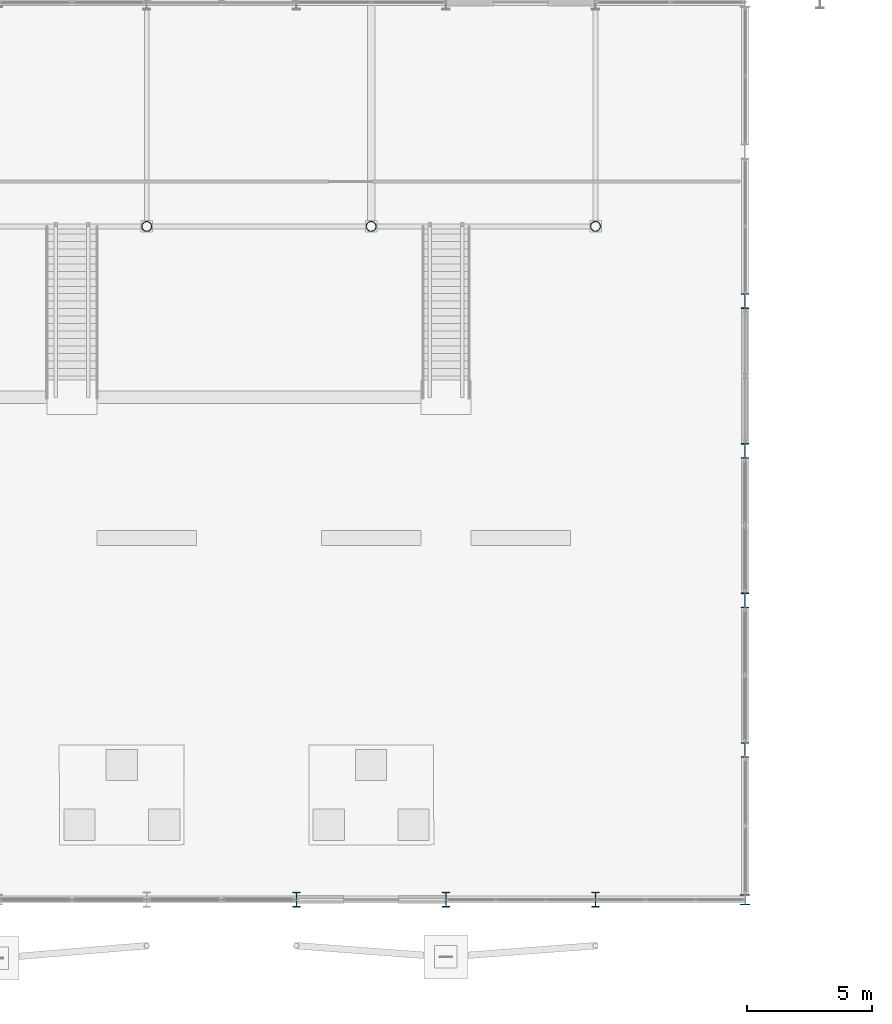
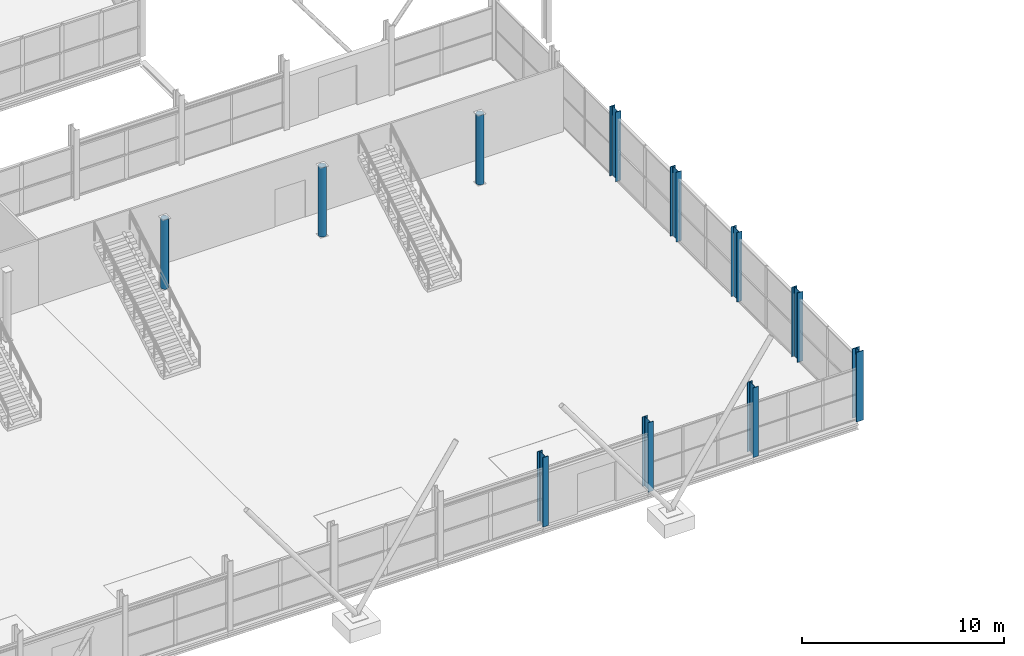
# One storey, part 3 of 140: 11 columns.
"""IFC4 building model written with IfcOpenShell, lengths in metres."""

from ifc_helpers import new_model, si_unit, direction, frame, origin, origin_2d, place, context, subcontext, project, spatial, hollow_circle, i_section, extrude, material, material_profile, profile_set, type_object, element, save


model = new_model("IFC4")

# Units and contexts
model_context = context("Model", 3, precision=1e-05, world=origin(), true_north=direction((0.0, 1.0)))
body_context = subcontext(model_context, "Body", "Model", "MODEL_VIEW")
ifc_project = project(units=[si_unit("LENGTHUNIT", "METRE"), si_unit("AREAUNIT", "SQUARE_METRE"), si_unit("VOLUMEUNIT", "CUBIC_METRE"), si_unit("PLANEANGLEUNIT", "RADIAN"), si_unit("MASSUNIT", "GRAM", prefix="KILO")], contexts=[model_context])

# Site, building, storey
site_placement = place(None, origin())
site = spatial("IfcSite", under=ifc_project, at=site_placement, CompositionType="ELEMENT")
building_placement = place(site_placement, origin())
building = spatial("IfcBuilding", under=site, at=building_placement, Name="Deido Ridge Mobility Hub", CompositionType="ELEMENT")
storey_placement = place(building_placement, origin())
storey = spatial("IfcBuildingStorey", under=building, at=storey_placement, Name="L00", CompositionType="ELEMENT", Elevation=0.0)

# Columns
ifc_material_1 = material(Name="Steel S355J2H EN 10210-1", Category="steel")
ifc_material_profile_1 = material_profile(ifc_material_1, hollow_circle(Radius=0.203125, WallThickness=0.01611328125, at=origin_2d()), Name="CHS 406.4x16")
ifc_profile_set_1 = profile_set([ifc_material_profile_1], Name="Steel S355J2H EN 10210-1")
column_type_1 = type_object("IfcColumnType", Name="COL-CHS406", PredefinedType="COLUMN", material=ifc_profile_set_1)
for number, where, z_axis, x_axis, name in (
    (1, (36.0, 27.0, 0.0), (0.0, 0.0, 1.0), (1.0, 0.0, 0.0), "Structural column C10"),
    (2, (45.0, 27.0, 0.0), (0.0, 0.0, 1.0), (1.0, 0.0, 0.0), "Structural column C10"),
    (3, (54.0, 27.0, 0.0), (0.0, 0.0, 1.0), (1.0, 0.0, 0.0), "Structural column C10"),
):
    element("IfcColumn", number, at=place(storey_placement, frame(where, z_axis=z_axis, x_axis=x_axis)), inside=storey, type_object=column_type_1, Name=name, PredefinedType="COLUMN", context=body_context, shape_type="SweptSolid", body=[
        extrude(hollow_circle(Radius=0.203125, WallThickness=0.01611328125, at=origin_2d()), origin(), (0.0, 0.0, 1.0), 4.199951171875),
    ])
ifc_material_2 = material(Name="Steel S355J2 EN 10025-2", Category="steel")
ifc_material_profile_2 = material_profile(ifc_material_2, i_section(OverallWidth=0.406005859375, OverallDepth=0.416015625, WebThickness=0.02392578125, FlangeThickness=0.0390625, FilletRadius=0.014892578125, at=origin_2d()), Name="HD 400x382")
ifc_profile_set_2 = profile_set([ifc_material_profile_2], Name="Steel S355J2 EN 10025-2")
column_type_2 = type_object("IfcColumnType", Name="COL-HD400-382", PredefinedType="COLUMN", material=ifc_profile_set_2)
column_placement = place(storey_placement, frame((60.0, 0.0, 0.0), z_axis=(0.0, 0.0, 1.0), x_axis=(1.0, 0.0, 0.0)))
element("IfcColumn", 4, at=column_placement, inside=storey, type_object=column_type_2, Name="Structural column MC2", PredefinedType="COLUMN", context=body_context, shape_type="SweptSolid", body=[
    extrude(i_section(OverallWidth=0.406005859375, OverallDepth=0.416015625, WebThickness=0.02392578125, FlangeThickness=0.0390625, FilletRadius=0.014892578125, at=origin_2d()), origin(), (0.0, 0.0, 1.0), 4.199951171875),
])
ifc_material_profile_3 = material_profile(ifc_material_2, i_section(OverallWidth=0.300048828125, OverallDepth=0.60009765625, WebThickness=0.015380859375, FlangeThickness=0.030029296875, FilletRadius=0.027099609375, at=origin_2d()), Name="HEB 600")
ifc_profile_set_3 = profile_set([ifc_material_profile_3], Name="Steel S355J2 EN 10025-2")
column_type_3 = type_object("IfcColumnType", Name="COL-HEB600", PredefinedType="COLUMN", material=ifc_profile_set_3)
for number, where, z_axis, x_axis, name in (
    (5, (42.0, 0.0, 0.0), (0.0, 0.0, 1.0), (1.0, 0.0, 0.0), "Structural column C4"),
    (6, (48.0, 0.0, 0.0), (0.0, 0.0, 1.0), (1.0, 0.0, 0.0), "Structural column C4"),
    (7, (54.0, 0.0, 0.0), (0.0, 0.0, 1.0), (1.0, 0.0, 0.0), "Structural column C4"),
    (8, (60.0, 6.0, 0.0), (0.0, 0.0, 1.0), (1.0, 0.0, 0.0), "Structural column C4"),
    (9, (60.0, 12.0, 0.0), (0.0, 0.0, 1.0), (1.0, 0.0, 0.0), "Structural column C4"),
    (10, (60.0, 18.0, 0.0), (0.0, 0.0, 1.0), (1.0, 0.0, 0.0), "Structural column C4"),
    (11, (60.0, 24.0, 0.0), (0.0, 0.0, 1.0), (1.0, 0.0, 0.0), "Structural column C4"),
):
    element("IfcColumn", number, at=place(storey_placement, frame(where, z_axis=z_axis, x_axis=x_axis)), inside=storey, type_object=column_type_3, Name=name, PredefinedType="COLUMN", context=body_context, shape_type="SweptSolid", body=[
        extrude(i_section(OverallWidth=0.300048828125, OverallDepth=0.60009765625, WebThickness=0.015380859375, FlangeThickness=0.030029296875, FilletRadius=0.027099609375, at=origin_2d()), origin(), (0.0, 0.0, 1.0), 4.199951171875),
    ])

save(model, "model.ifc")
